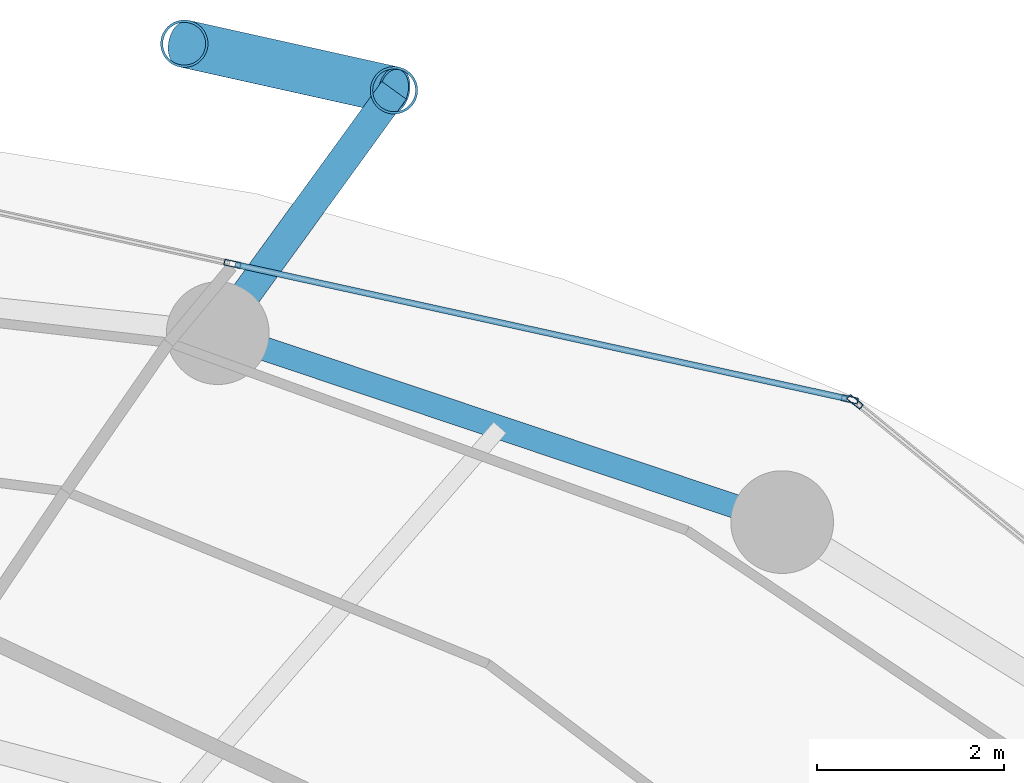
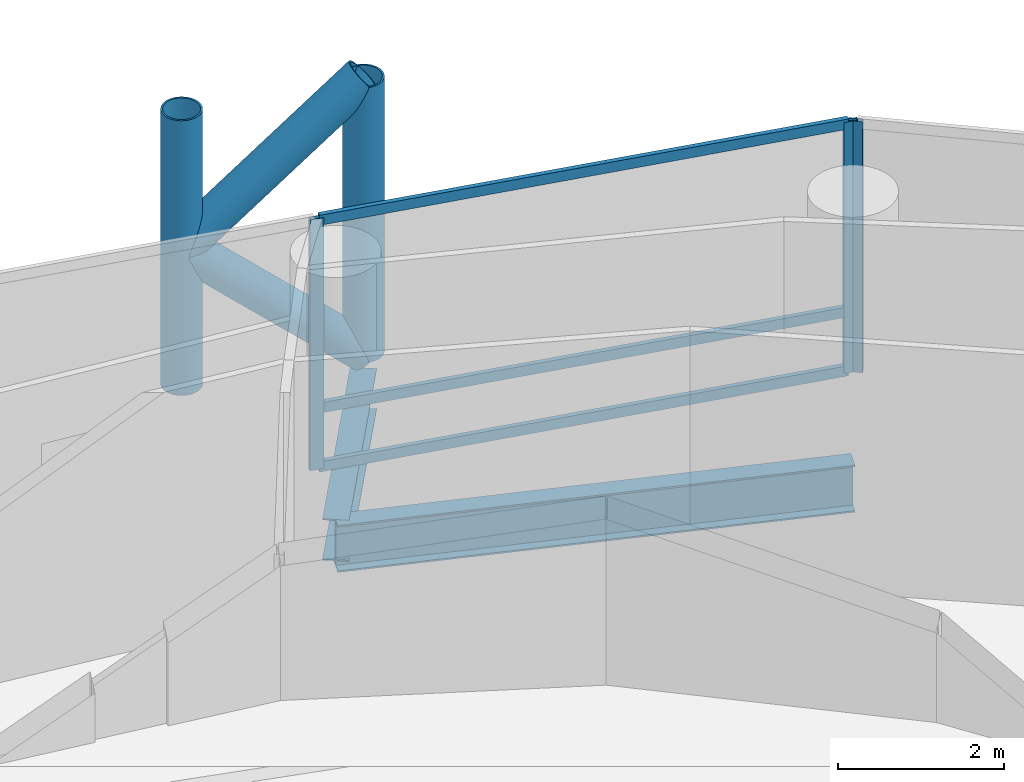
# One storey, part 18 of 27: 10 members, 2 beams, 2 elements without a shape of their own.
"""IFC4 building model written with IfcOpenShell, lengths in metres."""

from ifc_helpers import new_model, si_unit, direction, frame, origin, origin_2d, place, context, subcontext, project, spatial, hollow_rectangle, hollow_circle, i_section, extrude, material, layer, layer_set, material_profile, profile_set, type_object, element, aggregate, save


model = new_model("IFC4")

# Units and contexts
model_context = context("Model", 3, precision=1e-05, world=origin(), true_north=direction((0.0, 1.0)))
body_context = subcontext(model_context, "Body", "Model", "MODEL_VIEW")
ifc_project = project(units=[si_unit("LENGTHUNIT", "METRE"), si_unit("AREAUNIT", "SQUARE_METRE"), si_unit("VOLUMEUNIT", "CUBIC_METRE"), si_unit("PLANEANGLEUNIT", "RADIAN"), si_unit("MASSUNIT", "GRAM", prefix="KILO")], contexts=[model_context])

# Site, building, storey
site_placement = place(None, origin())
site = spatial("IfcSite", under=ifc_project, at=site_placement, CompositionType="ELEMENT")
building_placement = place(site_placement, origin())
building = spatial("IfcBuilding", under=site, at=building_placement, Name="Nuhasar Tower", CompositionType="ELEMENT")
storey_placement = place(building_placement, frame((0.0, 0.0, 102.0)))
storey = spatial("IfcBuildingStorey", under=building, at=storey_placement, Name="L24", CompositionType="ELEMENT", Elevation=102.0)

# Beams
ifc_material_1 = material(Name="Steel S355", Category="steel")
ifc_material_profile_1 = material_profile(ifc_material_1, i_section(OverallWidth=0.256103515625, OverallDepth=0.693115234375, WebThickness=0.014404296875, FlangeThickness=0.023681640625, at=origin_2d()), Name="W27X114")
ifc_profile_set_1 = profile_set([ifc_material_profile_1], Name="Steel S355")
beam_type_1 = type_object("IfcBeamType", Name="BM-RING-W27X114", PredefinedType="SPANDREL", material=ifc_profile_set_1)
beam_1_placement = place(storey_placement, frame((51.52490234375, 44.3369140625, -0.596923828125), z_axis=(-0.948249435708, 0.317526388949, 0.0), x_axis=(-0.317526388949, -0.948249435708, 0.0)))
element("IfcBeam", 1, at=beam_1_placement, inside=storey, type_object=beam_type_1, Name="L24 Perimeter Ring Spandrel 05", PredefinedType="SPANDREL", context=body_context, shape_type="SweptSolid", body=[
    extrude(i_section(OverallWidth=0.256103515625, OverallDepth=0.693115234375, WebThickness=0.014404296875, FlangeThickness=0.023681640625, at=origin_2d()), origin(), (0.0, 0.0, 1.0), 6.371826171875),
])
ifc_material_profile_2 = material_profile(ifc_material_1, i_section(OverallWidth=0.323974609375, OverallDepth=0.611083984375, WebThickness=0.0126953125, FlangeThickness=0.01904296875, at=origin_2d()), Name="W24X104")
ifc_profile_set_2 = profile_set([ifc_material_profile_2], Name="Steel S355")
beam_type_2 = type_object("IfcBeamType", Name="BM-TIE-W24X104", PredefinedType="BEAM", material=ifc_profile_set_2)
beam_2_placement = place(storey_placement, frame((45.48291015625, 46.360107421875, -0.554931640625), z_axis=(0.587439442414, 0.809268127073, 0.0), x_axis=(-0.809268127073, 0.587439442414, 0.0)))
element("IfcBeam", 2, at=beam_2_placement, inside=storey, type_object=beam_type_2, Name="L24 Exoskeleton Node Tie Beam 03", PredefinedType="BEAM", context=body_context, shape_type="SweptSolid", body=[
    extrude(i_section(OverallWidth=0.323974609375, OverallDepth=0.611083984375, WebThickness=0.0126953125, FlangeThickness=0.01904296875, at=origin_2d()), origin(), (0.0, 0.0, 1.0), 3.212646484375),
])

# Curtain wall, member
ifc_material_2 = material(Name="Aluminium 6063-T6", Category="aluminium")
ifc_layer = layer(ifc_material_2, 0.199951171875)
ifc_layer_set = layer_set([ifc_layer], Name="Aluminium 6063-T6")
curtain_wall_type = type_object("IfcCurtainWallType", Name="CW-Z1-OFF", PredefinedType="NOTDEFINED", material=ifc_layer_set)
curtain_wall_1_placement = place(storey_placement, origin())
curtain_wall_1 = element("IfcCurtainWall", 3, at=curtain_wall_1_placement, inside=storey, type_object=curtain_wall_type, Name="L24 Unitised Curtain Wall 02", PredefinedType="NOTDEFINED")
ifc_material_profile_3 = material_profile(ifc_material_2, hollow_rectangle(XDim=0.06494140625, YDim=0.179931640625, WallThickness=0.0048828125, at=origin_2d()), Name="CWM-2")
ifc_profile_set_3 = profile_set([ifc_material_profile_3], Name="Aluminium 6063-T6")
member_type_1 = type_object("IfcMemberType", Name="CW-MUL-S2", PredefinedType="MULLION", material=ifc_profile_set_3)
member_1_placement = place(storey_placement, frame((52.30517578125, 45.62451171875, 0.0), z_axis=(0.0, 0.0, 1.0), x_axis=(-0.633744593376, -0.773542364946, 0.0)))
member_1 = element("IfcMember", 4, at=member_1_placement, type_object=member_type_1, Name="CW-Z1 mullion 2", PredefinedType="MULLION", context=body_context, shape_type="SweptSolid", body=[
    extrude(hollow_rectangle(XDim=0.06494140625, YDim=0.179931640625, WallThickness=0.0048828125, at=origin_2d()), origin(), (0.0, 0.0, 1.0), 3.699951171875),
])
aggregate(curtain_wall_1, [member_1])

# Curtain wall, members
curtain_wall_2_placement = place(storey_placement, origin())
curtain_wall_2 = element("IfcCurtainWall", 5, at=curtain_wall_2_placement, inside=storey, type_object=curtain_wall_type, Name="L24 Unitised Curtain Wall 03", PredefinedType="NOTDEFINED")
member_2_placement = place(storey_placement, frame((52.248291015625, 45.65185546875, 0.0), z_axis=(0.0, 0.0, 1.0), x_axis=(-0.214398737637, -0.976746221544, 0.0)))
member_2 = element("IfcMember", 6, at=member_2_placement, type_object=member_type_1, Name="CW-Z1 mullion 1", PredefinedType="MULLION", context=body_context, shape_type="SweptSolid", body=[
    extrude(hollow_rectangle(XDim=0.06494140625, YDim=0.179931640625, WallThickness=0.0048828125, at=origin_2d()), origin(), (0.0, 0.0, 1.0), 3.699951171875),
])
member_3_placement = place(storey_placement, frame((45.639892578125, 47.1025390625, 0.0), z_axis=(0.0, 0.0, 1.0), x_axis=(-0.214398737637, -0.976746221544, 0.0)))
member_3 = element("IfcMember", 7, at=member_3_placement, type_object=member_type_1, Name="CW-Z1 mullion 2", PredefinedType="MULLION", context=body_context, shape_type="SweptSolid", body=[
    extrude(hollow_rectangle(XDim=0.06494140625, YDim=0.179931640625, WallThickness=0.0048828125, at=origin_2d()), origin(), (0.0, 0.0, 1.0), 3.699951171875),
])
ifc_material_profile_4 = material_profile(ifc_material_2, hollow_rectangle(XDim=0.06494140625, YDim=0.14990234375, WallThickness=0.00439453125, at=origin_2d()), Name="CWT-2")
ifc_profile_set_4 = profile_set([ifc_material_profile_4], Name="Aluminium 6063-T6")
member_type_2 = type_object("IfcMemberType", Name="CW-TRN-S2", PredefinedType="USERDEFINED", material=ifc_profile_set_4)
member_4_placement = place(storey_placement, frame((52.216552734375, 45.658935546875, 0.032470703125), z_axis=(-0.976749553792, 0.214383556196, 0.0), x_axis=(-0.214383556196, -0.976749553792, 0.0)))
member_4 = element("IfcMember", 8, at=member_4_placement, type_object=member_type_2, Name="CW-Z1 transom 1.1", ObjectType="TRANSOM", PredefinedType="USERDEFINED", context=body_context, shape_type="SweptSolid", body=[
    extrude(hollow_rectangle(XDim=0.06494140625, YDim=0.14990234375, WallThickness=0.00439453125, at=origin_2d()), origin(), (0.0, 0.0, 1.0), 6.70068359375),
])
member_5_placement = place(storey_placement, frame((52.216552734375, 45.658935546875, 0.89990234375), z_axis=(-0.976749553792, 0.214383556196, 0.0), x_axis=(-0.214383556196, -0.976749553792, 0.0)))
member_5 = element("IfcMember", 9, at=member_5_placement, type_object=member_type_2, Name="CW-Z1 transom 1.2", ObjectType="TRANSOM", PredefinedType="USERDEFINED", context=body_context, shape_type="SweptSolid", body=[
    extrude(hollow_rectangle(XDim=0.06494140625, YDim=0.14990234375, WallThickness=0.00439453125, at=origin_2d()), origin(), (0.0, 0.0, 1.0), 6.70068359375),
])
member_6_placement = place(storey_placement, frame((52.216552734375, 45.658935546875, 3.66748046875), z_axis=(-0.976749553792, 0.214383556196, 0.0), x_axis=(-0.214383556196, -0.976749553792, 0.0)))
member_6 = element("IfcMember", 10, at=member_6_placement, type_object=member_type_2, Name="CW-Z1 transom 1.3", ObjectType="TRANSOM", PredefinedType="USERDEFINED", context=body_context, shape_type="SweptSolid", body=[
    extrude(hollow_rectangle(XDim=0.06494140625, YDim=0.14990234375, WallThickness=0.00439453125, at=origin_2d()), origin(), (0.0, 0.0, 1.0), 6.70068359375),
])
aggregate(curtain_wall_2, [member_2, member_3, member_4, member_5, member_6])

# Members
ifc_material_3 = material(Name="Steel S460", Category="steel")
ifc_material_profile_5 = material_profile(ifc_material_3, hollow_circle(Radius=0.25390625, WallThickness=0.025390625, at=origin_2d()), Name="HSS508X25.4")
ifc_profile_set_5 = profile_set([ifc_material_profile_5], Name="Steel S460")
member_type_3 = type_object("IfcMemberType", Name="EXO-BRONZE-508", PredefinedType="BRACE", material=ifc_profile_set_5)
for number, where, z_axis, x_axis, name in (
    (11, (47.3701171875, 48.9599609375, 0.0), (0.0, 0.0, 1.0), (1.0, 0.0, 0.0), "L24 Exoskeleton Chord Column EC-03A"),
    (12, (45.1240234375, 49.458984375, 0.0), (0.0, 0.0, 1.0), (1.0, 0.0, 0.0), "L24 Exoskeleton Chord Column EC-03B"),
):
    element("IfcMember", number, at=place(storey_placement, frame(where, z_axis=z_axis, x_axis=x_axis)), inside=storey, type_object=member_type_3, Name=name, PredefinedType="BRACE", context=body_context, shape_type="SweptSolid", body=[
        extrude(hollow_circle(Radius=0.25390625, WallThickness=0.025390625, at=origin_2d()), origin(), (0.0, 0.0, 1.0), 4.050048828125),
    ])
member_7_placement = place(storey_placement, frame((47.3701171875, 48.9599609375, 0.0), z_axis=(-0.732821471909, 0.162813813976, 0.660654487828), x_axis=(-0.216885517571, -0.97619704582, 0.0)))
element("IfcMember", 13, at=member_7_placement, inside=storey, type_object=member_type_3, Name="L24 Bronze Diagrid Brace W1-03", PredefinedType="BRACE", context=body_context, shape_type="SweptSolid", body=[
    extrude(hollow_circle(Radius=0.25390625, WallThickness=0.025390625, at=origin_2d()), origin(), (0.0, 0.0, 1.0), 3.06494140625),
])
member_8_placement = place(storey_placement, frame((45.1240234375, 49.458984375, 2.02490234375), z_axis=(0.732782908552, -0.162805246204, 0.660699372439), x_axis=(0.216885517571, 0.97619704582, 0.0)))
element("IfcMember", 14, at=member_8_placement, inside=storey, type_object=member_type_3, Name="L24 Bronze Diagrid Brace W2-03", PredefinedType="BRACE", context=body_context, shape_type="SweptSolid", body=[
    extrude(hollow_circle(Radius=0.25390625, WallThickness=0.025390625, at=origin_2d()), origin(), (0.0, 0.0, 1.0), 3.065185546875),
])

save(model, "model.ifc")
